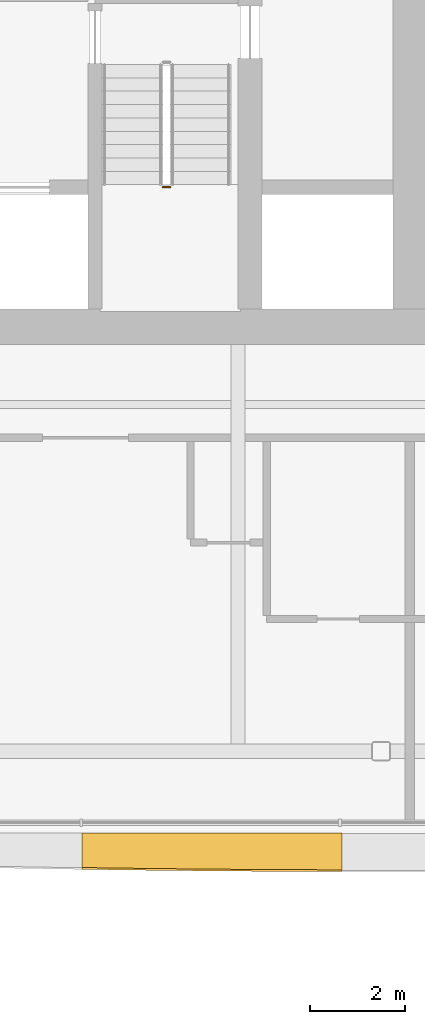
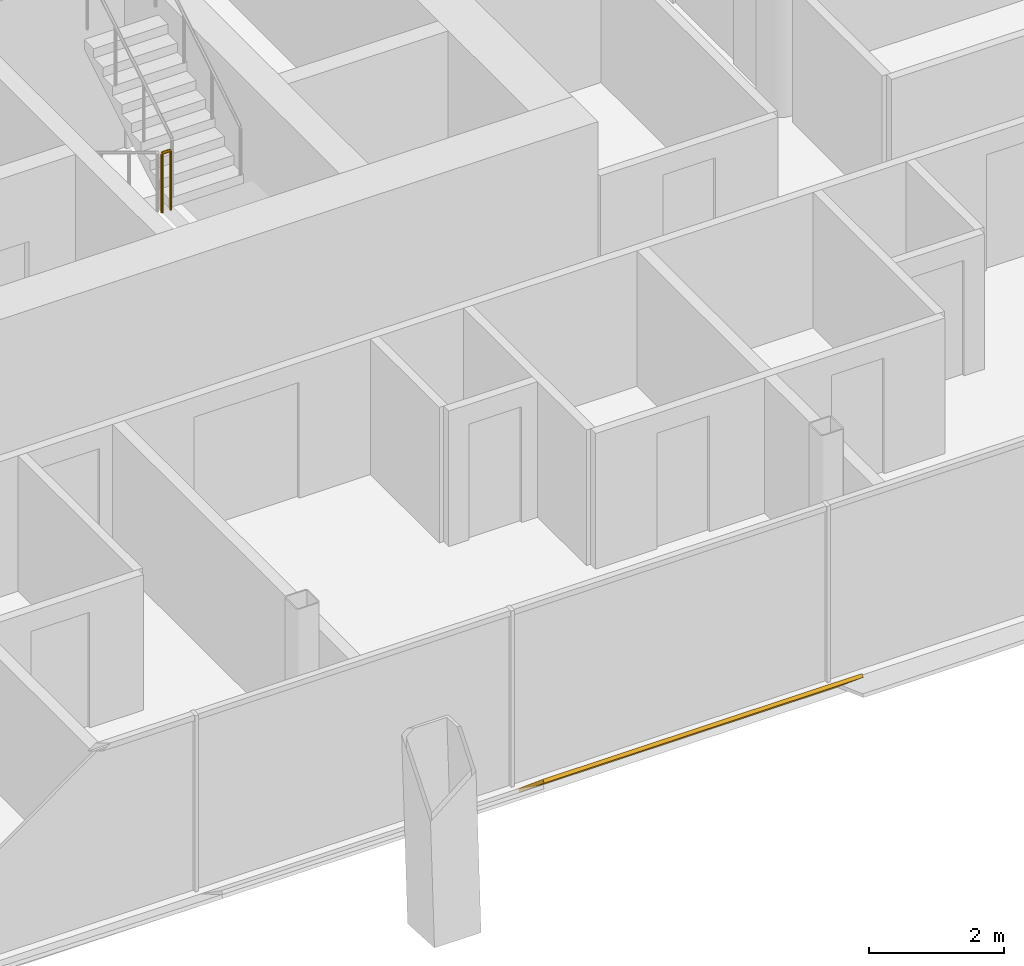
# One storey, part 19 of 21: 1 railing, 1 shading device.
"""IFC4 building model written with IfcOpenShell, lengths in metres."""

from ifc_helpers import new_model, si_unit, direction, frame, origin, origin_2d, place, context, subcontext, project, spatial, polyline, circle, outline, extrude, material, layer, layer_set, type_object, element, save


model = new_model("IFC4")

# Units and contexts
model_context = context("Model", 3, precision=1e-05, world=origin(), true_north=direction((0.0, 1.0)))
body_context = subcontext(model_context, "Body", "Model", "MODEL_VIEW")
ifc_project = project(units=[si_unit("LENGTHUNIT", "METRE"), si_unit("AREAUNIT", "SQUARE_METRE"), si_unit("VOLUMEUNIT", "CUBIC_METRE"), si_unit("PLANEANGLEUNIT", "RADIAN"), si_unit("MASSUNIT", "GRAM", prefix="KILO")], contexts=[model_context])

# Site, building, storey
site_placement = place(None, origin())
site = spatial("IfcSite", under=ifc_project, at=site_placement, CompositionType="ELEMENT")
building_placement = place(site_placement, origin())
building = spatial("IfcBuilding", under=site, at=building_placement, Name="Tskaro Facet Tower", CompositionType="ELEMENT")
storey_placement = place(building_placement, frame((0.0, 0.0, 148.699951171875)))
storey = spatial("IfcBuildingStorey", under=building, at=storey_placement, Name="L36", CompositionType="ELEMENT", Elevation=148.699951171875)

# Shading device
ifc_material_1 = material(Name="Bronze anodised aluminium 6063-T6", Category="aluminium")
ifc_layer = layer(ifc_material_1, 0.06005859375, Name="Bronze anodised aluminium 6063-T6")
ifc_layer_set = layer_set([ifc_layer], Name="Bronze anodised aluminium 6063-T6")
shading_device_type = type_object("IfcShadingDeviceType", Name="Bronze sun blade (FN1)", PredefinedType="USERDEFINED", material=ifc_layer_set)
shading_device_placement = place(storey_placement, frame((5.726806640625, -22.4833984375, 0.0458984375), z_axis=(6.393848e-06, 0.64288787061, 0.765960303007), x_axis=(0.99999999998, -4.110527e-06, -4.897434e-06)))
element("IfcShadingDevice", 1, at=shading_device_placement, inside=storey, type_object=shading_device_type, Name="Fin blade south 5", ObjectType="FIN", PredefinedType="USERDEFINED", context=body_context, shape_type="SweptSolid", body=[
    extrude(outline(polyline([(0.0, 0.0), (5.453369140513529, -2.3095916678246224e-21), (5.453369141188071, -1.014454381580474), (4.771728515539723, -1.0116726780107572), (4.090087890659836, -1.0075151461464649), (3.408203124919872, -1.0017947839604922), (2.726562499569819, -0.9945115914528391), (2.04492187498823, -0.9858525706506105), (1.3632812499794407, -0.9759746766003456), (0.6816406247355685, -0.9645339522284002), (2.601595334920797e-10, -0.9517173995618794), (0.0, 0.0)])), origin(), (0.0, 0.0, -1.0), 0.06005859375),
])

# Railing
ifc_material_2 = material(Name="Stainless steel", Category="steel")
railing_type = type_object("IfcRailingType", Name="RL-GUARD-1100", PredefinedType="GUARDRAIL", material=ifc_material_2)
railing_placement = place(storey_placement, frame((7.425048828125, -8.945068359375, 1.699951171875)))
element("IfcRailing", 2, at=railing_placement, inside=storey, type_object=railing_type, Name="L36 ST-2 stair guard 2", PredefinedType="GUARDRAIL", context=body_context, shape_type="SweptSolid", body=[
    extrude(circle(Radius=0.02392578125, at=origin_2d()), frame((0.0, 0.0, 1.076171875), z_axis=(1.0, 0.0, 0.0), x_axis=(0.0, 1.0, 0.0)), (0.0, 0.0, 1.0), 0.14990234375),
    extrude(circle(Radius=0.02099609375, at=origin_2d()), origin(), (0.0, 0.0, 1.0), 1.052001953125),
    extrude(circle(Radius=0.02099609375, at=origin_2d()), frame((0.14990234375, 0.0, 0.0)), (0.0, 0.0, 1.0), 1.052001953125),
])

save(model, "model.ifc")
